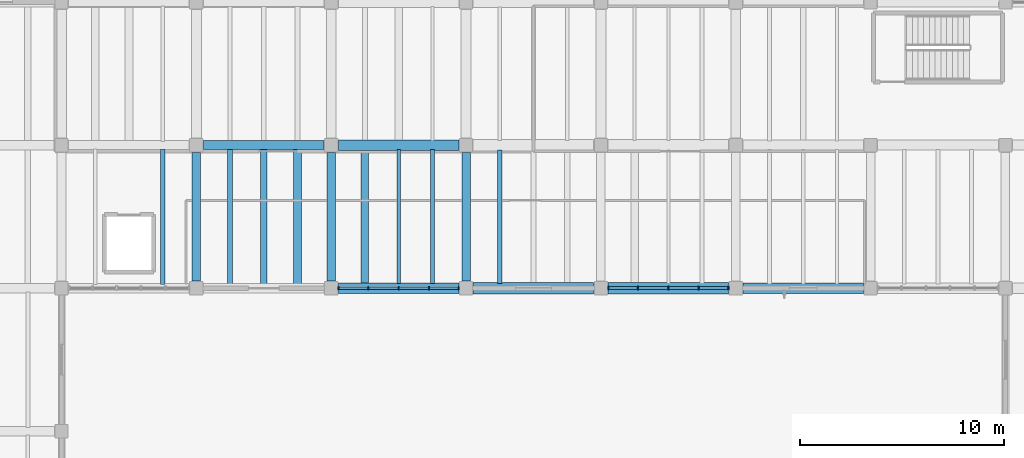
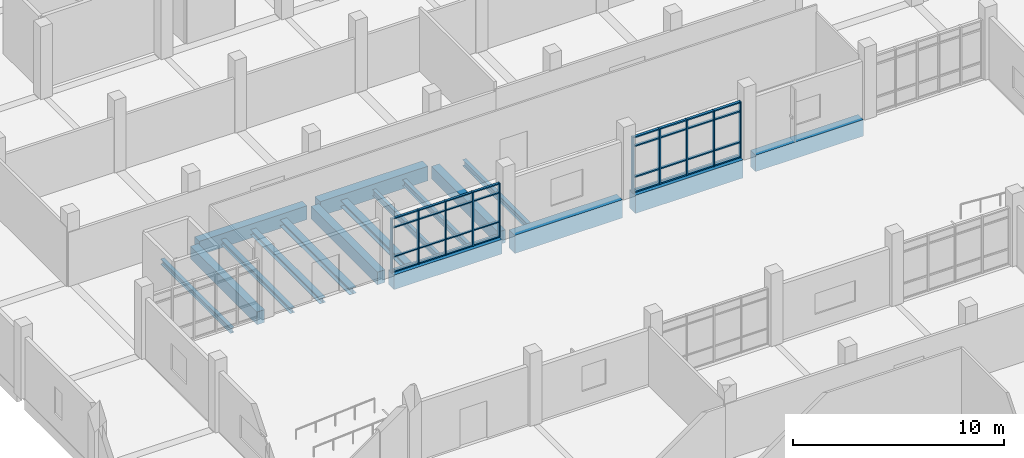
# One storey, part 24 of 69: 42 members, 17 beams, 2 elements without a shape of their own.
"""IFC4 building model written with IfcOpenShell, lengths in metres."""

from ifc_helpers import new_model, si_unit, direction, frame, origin, origin_2d, place, context, subcontext, project, spatial, rectangle, i_section, extrude, material, material_profile, profile_set, type_object, element, aggregate, save


model = new_model("IFC4")

# Units and contexts
model_context = context("Model", 3, precision=1e-05, world=origin(), true_north=direction((0.0, 1.0)))
body_context = subcontext(model_context, "Body", "Model", "MODEL_VIEW")
ifc_project = project(units=[si_unit("LENGTHUNIT", "METRE"), si_unit("AREAUNIT", "SQUARE_METRE"), si_unit("VOLUMEUNIT", "CUBIC_METRE"), si_unit("PLANEANGLEUNIT", "RADIAN"), si_unit("MASSUNIT", "GRAM", prefix="KILO")], contexts=[model_context])

# Site, building, storey
site_placement = place(None, origin())
site = spatial("IfcSite", under=ifc_project, at=site_placement, CompositionType="ELEMENT")
building_placement = place(site_placement, origin())
building = spatial("IfcBuilding", under=site, at=building_placement, Name="Ciguamira Faculty of Natural Sciences", CompositionType="ELEMENT")
storey_placement = place(building_placement, origin())
storey = spatial("IfcBuildingStorey", under=building, at=storey_placement, Name="L00", CompositionType="ELEMENT", Elevation=0.0)

# Curtain wall, members
ifc_material_1 = material(Name="Anodized aluminium curtain wall", Category="aluminium")
curtain_wall_type_1 = type_object("IfcCurtainWallType", Name="CurtainWall_CW-01", PredefinedType="USERDEFINED", material=ifc_material_1)
curtain_wall_1_placement = place(storey_placement, origin())
curtain_wall_1 = element("IfcCurtainWall", 1, at=curtain_wall_1_placement, inside=storey, type_object=curtain_wall_type_1, Name="L00 unitised curtain wall 0013", ObjectType="UNITISED CURTAIN WALL", PredefinedType="USERDEFINED")
ifc_material_2 = material(Name="Anodized aluminium mullion", Category="aluminium")
ifc_material_profile_1 = material_profile(ifc_material_2, rectangle(XDim=0.06005859375, YDim=0.159912109375, at=origin_2d()), Name="ALU-MUL-60X160")
ifc_profile_set_1 = profile_set([ifc_material_profile_1], Name="Anodized aluminium mullion")
member_type_1 = type_object("IfcMemberType", Name="CWMullion_CWM-01", PredefinedType="MULLION", material=ifc_profile_set_1)
member_1_placement = place(storey_placement, frame((77.455078125, 73.0, 0.0), z_axis=(0.0, 0.0, 1.0), x_axis=(1.0, 0.0, 0.0)))
member_1 = element("IfcMember", 2, at=member_1_placement, type_object=member_type_1, Name="CW-01 mullion 1", PredefinedType="MULLION", context=body_context, shape_type="SweptSolid", body=[
    extrude(rectangle(XDim=0.06005859375, YDim=0.159912109375, at=origin_2d()), origin(), (0.0, 0.0, 1.0), 3.135009765625),
])
member_2_placement = place(storey_placement, frame((78.91259765625, 73.0, 0.0), z_axis=(0.0, 0.0, 1.0), x_axis=(1.0, 0.0, 0.0)))
member_2 = element("IfcMember", 3, at=member_2_placement, type_object=member_type_1, Name="CW-01 mullion 2", PredefinedType="MULLION", context=body_context, shape_type="SweptSolid", body=[
    extrude(rectangle(XDim=0.06005859375, YDim=0.159912109375, at=origin_2d()), origin(), (0.0, 0.0, 1.0), 3.135009765625),
])
member_3_placement = place(storey_placement, frame((80.39990234375, 73.0, 0.0), z_axis=(0.0, 0.0, 1.0), x_axis=(1.0, 0.0, 0.0)))
member_3 = element("IfcMember", 4, at=member_3_placement, type_object=member_type_1, Name="CW-01 mullion 3", PredefinedType="MULLION", context=body_context, shape_type="SweptSolid", body=[
    extrude(rectangle(XDim=0.06005859375, YDim=0.159912109375, at=origin_2d()), origin(), (0.0, 0.0, 1.0), 3.135009765625),
])
member_4_placement = place(storey_placement, frame((81.887451171875, 73.0, 0.0), z_axis=(0.0, 0.0, 1.0), x_axis=(1.0, 0.0, 0.0)))
member_4 = element("IfcMember", 5, at=member_4_placement, type_object=member_type_1, Name="CW-01 mullion 4", PredefinedType="MULLION", context=body_context, shape_type="SweptSolid", body=[
    extrude(rectangle(XDim=0.06005859375, YDim=0.159912109375, at=origin_2d()), origin(), (0.0, 0.0, 1.0), 3.135009765625),
])
member_5_placement = place(storey_placement, frame((83.344970703125, 73.0, 0.0), z_axis=(0.0, 0.0, 1.0), x_axis=(1.0, 0.0, 0.0)))
member_5 = element("IfcMember", 6, at=member_5_placement, type_object=member_type_1, Name="CW-01 mullion 5", PredefinedType="MULLION", context=body_context, shape_type="SweptSolid", body=[
    extrude(rectangle(XDim=0.06005859375, YDim=0.159912109375, at=origin_2d()), origin(), (0.0, 0.0, 1.0), 3.135009765625),
])

curtain_wall_type_2 = type_object("IfcCurtainWallType", Name="CurtainWall_CW-02", PredefinedType="USERDEFINED", material=ifc_material_1)
curtain_wall_2_placement = place(storey_placement, origin())
curtain_wall_2 = element("IfcCurtainWall", 7, at=curtain_wall_2_placement, inside=storey, type_object=curtain_wall_type_2, Name="L00 unitised curtain wall 0014", ObjectType="UNITISED CURTAIN WALL", PredefinedType="USERDEFINED")
ifc_material_profile_2 = material_profile(ifc_material_2, rectangle(XDim=0.070068359375, YDim=0.179931640625, at=origin_2d()), Name="ALU-MUL-70X180")
ifc_profile_set_2 = profile_set([ifc_material_profile_2], Name="Anodized aluminium mullion")
member_type_2 = type_object("IfcMemberType", Name="CWMullion_CWM-02", PredefinedType="MULLION", material=ifc_profile_set_2)
member_6_placement = place(storey_placement, frame((90.659912109375, 73.0, 0.0), z_axis=(0.0, 0.0, 1.0), x_axis=(1.0, 0.0, 0.0)))
member_6 = element("IfcMember", 8, at=member_6_placement, type_object=member_type_2, Name="CW-02 mullion 1", PredefinedType="MULLION", context=body_context, shape_type="SweptSolid", body=[
    extrude(rectangle(XDim=0.070068359375, YDim=0.179931640625, at=origin_2d()), origin(), (0.0, 0.0, 1.0), 3.235107421875),
])
member_7_placement = place(storey_placement, frame((92.112548828125, 73.0, 0.0), z_axis=(0.0, 0.0, 1.0), x_axis=(1.0, 0.0, 0.0)))
member_7 = element("IfcMember", 9, at=member_7_placement, type_object=member_type_2, Name="CW-02 mullion 2", PredefinedType="MULLION", context=body_context, shape_type="SweptSolid", body=[
    extrude(rectangle(XDim=0.070068359375, YDim=0.179931640625, at=origin_2d()), origin(), (0.0, 0.0, 1.0), 3.235107421875),
])
member_8_placement = place(storey_placement, frame((93.60009765625, 73.0, 0.0), z_axis=(0.0, 0.0, 1.0), x_axis=(1.0, 0.0, 0.0)))
member_8 = element("IfcMember", 10, at=member_8_placement, type_object=member_type_2, Name="CW-02 mullion 3", PredefinedType="MULLION", context=body_context, shape_type="SweptSolid", body=[
    extrude(rectangle(XDim=0.070068359375, YDim=0.179931640625, at=origin_2d()), origin(), (0.0, 0.0, 1.0), 3.235107421875),
])
member_9_placement = place(storey_placement, frame((95.08740234375, 73.0, 0.0), z_axis=(0.0, 0.0, 1.0), x_axis=(1.0, 0.0, 0.0)))
member_9 = element("IfcMember", 11, at=member_9_placement, type_object=member_type_2, Name="CW-02 mullion 4", PredefinedType="MULLION", context=body_context, shape_type="SweptSolid", body=[
    extrude(rectangle(XDim=0.070068359375, YDim=0.179931640625, at=origin_2d()), origin(), (0.0, 0.0, 1.0), 3.235107421875),
])
member_10_placement = place(storey_placement, frame((96.5400390625, 73.0, 0.0), z_axis=(0.0, 0.0, 1.0), x_axis=(1.0, 0.0, 0.0)))
member_10 = element("IfcMember", 12, at=member_10_placement, type_object=member_type_2, Name="CW-02 mullion 5", PredefinedType="MULLION", context=body_context, shape_type="SweptSolid", body=[
    extrude(rectangle(XDim=0.070068359375, YDim=0.179931640625, at=origin_2d()), origin(), (0.0, 0.0, 1.0), 3.235107421875),
])

# Member
ifc_material_3 = material(Name="Anodized aluminium transom", Category="aluminium")
ifc_material_profile_3 = material_profile(ifc_material_3, rectangle(XDim=0.06005859375, YDim=0.1201171875, at=origin_2d()), Name="ALU-TRN-60X120")
ifc_profile_set_3 = profile_set([ifc_material_profile_3], Name="Anodized aluminium transom")
member_type_3 = type_object("IfcMemberType", Name="CWTransom_CWT-01", PredefinedType="USERDEFINED", material=ifc_profile_set_3)
member_11_placement = place(storey_placement, frame((77.485107421875, 73.0, 0.030029296875), z_axis=(1.0, 0.0, 0.0), x_axis=(0.0, 0.0, 1.0)))
member_11 = element("IfcMember", 13, at=member_11_placement, type_object=member_type_3, Name="CW-01 transom 1.1", ObjectType="TRANSOM", PredefinedType="USERDEFINED", context=body_context, shape_type="SweptSolid", body=[
    extrude(rectangle(XDim=0.06005859375, YDim=0.1201171875, at=origin_2d()), origin(), (0.0, 0.0, 1.0), 1.3974609375),
])

member_12_placement = place(storey_placement, frame((77.485107421875, 73.0, 0.89990234375), z_axis=(1.0, 0.0, 0.0), x_axis=(0.0, 0.0, 1.0)))
member_12 = element("IfcMember", 14, at=member_12_placement, type_object=member_type_3, Name="CW-01 transom 1.2", ObjectType="TRANSOM", PredefinedType="USERDEFINED", context=body_context, shape_type="SweptSolid", body=[
    extrude(rectangle(XDim=0.06005859375, YDim=0.1201171875, at=origin_2d()), origin(), (0.0, 0.0, 1.0), 1.3974609375),
])

member_13_placement = place(storey_placement, frame((77.485107421875, 73.0, 2.5849609375), z_axis=(1.0, 0.0, 0.0), x_axis=(0.0, 0.0, 1.0)))
member_13 = element("IfcMember", 15, at=member_13_placement, type_object=member_type_3, Name="CW-01 transom 1.3", ObjectType="TRANSOM", PredefinedType="USERDEFINED", context=body_context, shape_type="SweptSolid", body=[
    extrude(rectangle(XDim=0.06005859375, YDim=0.1201171875, at=origin_2d()), origin(), (0.0, 0.0, 1.0), 1.3974609375),
])

member_14_placement = place(storey_placement, frame((77.485107421875, 73.0, 3.10498046875), z_axis=(1.0, 0.0, 0.0), x_axis=(0.0, 0.0, 1.0)))
member_14 = element("IfcMember", 16, at=member_14_placement, type_object=member_type_3, Name="CW-01 transom 1.4", ObjectType="TRANSOM", PredefinedType="USERDEFINED", context=body_context, shape_type="SweptSolid", body=[
    extrude(rectangle(XDim=0.06005859375, YDim=0.1201171875, at=origin_2d()), origin(), (0.0, 0.0, 1.0), 1.3974609375),
])

member_15_placement = place(storey_placement, frame((78.9423828125, 73.0, 0.030029296875), z_axis=(1.0, 0.0, 0.0), x_axis=(0.0, 0.0, 1.0)))
member_15 = element("IfcMember", 17, at=member_15_placement, type_object=member_type_3, Name="CW-01 transom 2.1", ObjectType="TRANSOM", PredefinedType="USERDEFINED", context=body_context, shape_type="SweptSolid", body=[
    extrude(rectangle(XDim=0.06005859375, YDim=0.1201171875, at=origin_2d()), origin(), (0.0, 0.0, 1.0), 1.427734375),
])

member_16_placement = place(storey_placement, frame((78.9423828125, 73.0, 0.89990234375), z_axis=(1.0, 0.0, 0.0), x_axis=(0.0, 0.0, 1.0)))
member_16 = element("IfcMember", 18, at=member_16_placement, type_object=member_type_3, Name="CW-01 transom 2.2", ObjectType="TRANSOM", PredefinedType="USERDEFINED", context=body_context, shape_type="SweptSolid", body=[
    extrude(rectangle(XDim=0.06005859375, YDim=0.1201171875, at=origin_2d()), origin(), (0.0, 0.0, 1.0), 1.427734375),
])

member_17_placement = place(storey_placement, frame((78.9423828125, 73.0, 2.5849609375), z_axis=(1.0, 0.0, 0.0), x_axis=(0.0, 0.0, 1.0)))
member_17 = element("IfcMember", 19, at=member_17_placement, type_object=member_type_3, Name="CW-01 transom 2.3", ObjectType="TRANSOM", PredefinedType="USERDEFINED", context=body_context, shape_type="SweptSolid", body=[
    extrude(rectangle(XDim=0.06005859375, YDim=0.1201171875, at=origin_2d()), origin(), (0.0, 0.0, 1.0), 1.427734375),
])

member_18_placement = place(storey_placement, frame((78.9423828125, 73.0, 3.10498046875), z_axis=(1.0, 0.0, 0.0), x_axis=(0.0, 0.0, 1.0)))
member_18 = element("IfcMember", 20, at=member_18_placement, type_object=member_type_3, Name="CW-01 transom 2.4", ObjectType="TRANSOM", PredefinedType="USERDEFINED", context=body_context, shape_type="SweptSolid", body=[
    extrude(rectangle(XDim=0.06005859375, YDim=0.1201171875, at=origin_2d()), origin(), (0.0, 0.0, 1.0), 1.427734375),
])

member_19_placement = place(storey_placement, frame((80.429931640625, 73.0, 0.030029296875), z_axis=(1.0, 0.0, 0.0), x_axis=(0.0, 0.0, 1.0)))
member_19 = element("IfcMember", 21, at=member_19_placement, type_object=member_type_3, Name="CW-01 transom 3.1", ObjectType="TRANSOM", PredefinedType="USERDEFINED", context=body_context, shape_type="SweptSolid", body=[
    extrude(rectangle(XDim=0.06005859375, YDim=0.1201171875, at=origin_2d()), origin(), (0.0, 0.0, 1.0), 1.427490234375),
])

member_20_placement = place(storey_placement, frame((80.429931640625, 73.0, 0.89990234375), z_axis=(1.0, 0.0, 0.0), x_axis=(0.0, 0.0, 1.0)))
member_20 = element("IfcMember", 22, at=member_20_placement, type_object=member_type_3, Name="CW-01 transom 3.2", ObjectType="TRANSOM", PredefinedType="USERDEFINED", context=body_context, shape_type="SweptSolid", body=[
    extrude(rectangle(XDim=0.06005859375, YDim=0.1201171875, at=origin_2d()), origin(), (0.0, 0.0, 1.0), 1.427490234375),
])

member_21_placement = place(storey_placement, frame((80.429931640625, 73.0, 2.5849609375), z_axis=(1.0, 0.0, 0.0), x_axis=(0.0, 0.0, 1.0)))
member_21 = element("IfcMember", 23, at=member_21_placement, type_object=member_type_3, Name="CW-01 transom 3.3", ObjectType="TRANSOM", PredefinedType="USERDEFINED", context=body_context, shape_type="SweptSolid", body=[
    extrude(rectangle(XDim=0.06005859375, YDim=0.1201171875, at=origin_2d()), origin(), (0.0, 0.0, 1.0), 1.427490234375),
])

member_22_placement = place(storey_placement, frame((80.429931640625, 73.0, 3.10498046875), z_axis=(1.0, 0.0, 0.0), x_axis=(0.0, 0.0, 1.0)))
member_22 = element("IfcMember", 24, at=member_22_placement, type_object=member_type_3, Name="CW-01 transom 3.4", ObjectType="TRANSOM", PredefinedType="USERDEFINED", context=body_context, shape_type="SweptSolid", body=[
    extrude(rectangle(XDim=0.06005859375, YDim=0.1201171875, at=origin_2d()), origin(), (0.0, 0.0, 1.0), 1.427490234375),
])

member_23_placement = place(storey_placement, frame((81.91748046875, 73.0, 0.030029296875), z_axis=(1.0, 0.0, 0.0), x_axis=(0.0, 0.0, 1.0)))
member_23 = element("IfcMember", 25, at=member_23_placement, type_object=member_type_3, Name="CW-01 transom 4.1", ObjectType="TRANSOM", PredefinedType="USERDEFINED", context=body_context, shape_type="SweptSolid", body=[
    extrude(rectangle(XDim=0.06005859375, YDim=0.1201171875, at=origin_2d()), origin(), (0.0, 0.0, 1.0), 1.3974609375),
])

member_24_placement = place(storey_placement, frame((81.91748046875, 73.0, 0.89990234375), z_axis=(1.0, 0.0, 0.0), x_axis=(0.0, 0.0, 1.0)))
member_24 = element("IfcMember", 26, at=member_24_placement, type_object=member_type_3, Name="CW-01 transom 4.2", ObjectType="TRANSOM", PredefinedType="USERDEFINED", context=body_context, shape_type="SweptSolid", body=[
    extrude(rectangle(XDim=0.06005859375, YDim=0.1201171875, at=origin_2d()), origin(), (0.0, 0.0, 1.0), 1.3974609375),
])

member_25_placement = place(storey_placement, frame((81.91748046875, 73.0, 2.5849609375), z_axis=(1.0, 0.0, 0.0), x_axis=(0.0, 0.0, 1.0)))
member_25 = element("IfcMember", 27, at=member_25_placement, type_object=member_type_3, Name="CW-01 transom 4.3", ObjectType="TRANSOM", PredefinedType="USERDEFINED", context=body_context, shape_type="SweptSolid", body=[
    extrude(rectangle(XDim=0.06005859375, YDim=0.1201171875, at=origin_2d()), origin(), (0.0, 0.0, 1.0), 1.3974609375),
])

member_26_placement = place(storey_placement, frame((81.91748046875, 73.0, 3.10498046875), z_axis=(1.0, 0.0, 0.0), x_axis=(0.0, 0.0, 1.0)))
member_26 = element("IfcMember", 28, at=member_26_placement, type_object=member_type_3, Name="CW-01 transom 4.4", ObjectType="TRANSOM", PredefinedType="USERDEFINED", context=body_context, shape_type="SweptSolid", body=[
    extrude(rectangle(XDim=0.06005859375, YDim=0.1201171875, at=origin_2d()), origin(), (0.0, 0.0, 1.0), 1.3974609375),
])

aggregate(curtain_wall_1, [member_1, member_2, member_3, member_4, member_5, member_11, member_12, member_13, member_14, member_15, member_16, member_17, member_18, member_19, member_20, member_21, member_22, member_23, member_24, member_25, member_26])

ifc_material_profile_4 = material_profile(ifc_material_3, rectangle(XDim=0.070068359375, YDim=0.139892578125, at=origin_2d()), Name="ALU-TRN-70X140")
ifc_profile_set_4 = profile_set([ifc_material_profile_4], Name="Anodized aluminium transom")
member_type_4 = type_object("IfcMemberType", Name="CWTransom_CWT-02", PredefinedType="USERDEFINED", material=ifc_profile_set_4)
member_27_placement = place(storey_placement, frame((90.695068359375, 73.0, 0.034912109375), z_axis=(1.0, 0.0, 0.0), x_axis=(0.0, 0.0, 1.0)))
member_27 = element("IfcMember", 29, at=member_27_placement, type_object=member_type_4, Name="CW-02 transom 1.1", ObjectType="TRANSOM", PredefinedType="USERDEFINED", context=body_context, shape_type="SweptSolid", body=[
    extrude(rectangle(XDim=0.070068359375, YDim=0.139892578125, at=origin_2d()), origin(), (0.0, 0.0, 1.0), 1.38232421875),
])

member_28_placement = place(storey_placement, frame((90.695068359375, 73.0, 0.89990234375), z_axis=(1.0, 0.0, 0.0), x_axis=(0.0, 0.0, 1.0)))
member_28 = element("IfcMember", 30, at=member_28_placement, type_object=member_type_4, Name="CW-02 transom 1.2", ObjectType="TRANSOM", PredefinedType="USERDEFINED", context=body_context, shape_type="SweptSolid", body=[
    extrude(rectangle(XDim=0.070068359375, YDim=0.139892578125, at=origin_2d()), origin(), (0.0, 0.0, 1.0), 1.38232421875),
])

member_29_placement = place(storey_placement, frame((90.695068359375, 73.0, 2.68505859375), z_axis=(1.0, 0.0, 0.0), x_axis=(0.0, 0.0, 1.0)))
member_29 = element("IfcMember", 31, at=member_29_placement, type_object=member_type_4, Name="CW-02 transom 1.3", ObjectType="TRANSOM", PredefinedType="USERDEFINED", context=body_context, shape_type="SweptSolid", body=[
    extrude(rectangle(XDim=0.070068359375, YDim=0.139892578125, at=origin_2d()), origin(), (0.0, 0.0, 1.0), 1.38232421875),
])

member_30_placement = place(storey_placement, frame((90.695068359375, 73.0, 3.199951171875), z_axis=(1.0, 0.0, 0.0), x_axis=(0.0, 0.0, 1.0)))
member_30 = element("IfcMember", 32, at=member_30_placement, type_object=member_type_4, Name="CW-02 transom 1.4", ObjectType="TRANSOM", PredefinedType="USERDEFINED", context=body_context, shape_type="SweptSolid", body=[
    extrude(rectangle(XDim=0.070068359375, YDim=0.139892578125, at=origin_2d()), origin(), (0.0, 0.0, 1.0), 1.38232421875),
])

member_31_placement = place(storey_placement, frame((92.1474609375, 73.0, 0.034912109375), z_axis=(1.0, 0.0, 0.0), x_axis=(0.0, 0.0, 1.0)))
member_31 = element("IfcMember", 33, at=member_31_placement, type_object=member_type_4, Name="CW-02 transom 2.1", ObjectType="TRANSOM", PredefinedType="USERDEFINED", context=body_context, shape_type="SweptSolid", body=[
    extrude(rectangle(XDim=0.070068359375, YDim=0.139892578125, at=origin_2d()), origin(), (0.0, 0.0, 1.0), 1.41748046875),
])

member_32_placement = place(storey_placement, frame((92.1474609375, 73.0, 0.89990234375), z_axis=(1.0, 0.0, 0.0), x_axis=(0.0, 0.0, 1.0)))
member_32 = element("IfcMember", 34, at=member_32_placement, type_object=member_type_4, Name="CW-02 transom 2.2", ObjectType="TRANSOM", PredefinedType="USERDEFINED", context=body_context, shape_type="SweptSolid", body=[
    extrude(rectangle(XDim=0.070068359375, YDim=0.139892578125, at=origin_2d()), origin(), (0.0, 0.0, 1.0), 1.41748046875),
])

member_33_placement = place(storey_placement, frame((92.1474609375, 73.0, 2.68505859375), z_axis=(1.0, 0.0, 0.0), x_axis=(0.0, 0.0, 1.0)))
member_33 = element("IfcMember", 35, at=member_33_placement, type_object=member_type_4, Name="CW-02 transom 2.3", ObjectType="TRANSOM", PredefinedType="USERDEFINED", context=body_context, shape_type="SweptSolid", body=[
    extrude(rectangle(XDim=0.070068359375, YDim=0.139892578125, at=origin_2d()), origin(), (0.0, 0.0, 1.0), 1.41748046875),
])

member_34_placement = place(storey_placement, frame((92.1474609375, 73.0, 3.199951171875), z_axis=(1.0, 0.0, 0.0), x_axis=(0.0, 0.0, 1.0)))
member_34 = element("IfcMember", 36, at=member_34_placement, type_object=member_type_4, Name="CW-02 transom 2.4", ObjectType="TRANSOM", PredefinedType="USERDEFINED", context=body_context, shape_type="SweptSolid", body=[
    extrude(rectangle(XDim=0.070068359375, YDim=0.139892578125, at=origin_2d()), origin(), (0.0, 0.0, 1.0), 1.41748046875),
])

member_35_placement = place(storey_placement, frame((93.635009765625, 73.0, 0.034912109375), z_axis=(1.0, 0.0, 0.0), x_axis=(0.0, 0.0, 1.0)))
member_35 = element("IfcMember", 37, at=member_35_placement, type_object=member_type_4, Name="CW-02 transom 3.1", ObjectType="TRANSOM", PredefinedType="USERDEFINED", context=body_context, shape_type="SweptSolid", body=[
    extrude(rectangle(XDim=0.070068359375, YDim=0.139892578125, at=origin_2d()), origin(), (0.0, 0.0, 1.0), 1.41748046875),
])

member_36_placement = place(storey_placement, frame((93.635009765625, 73.0, 0.89990234375), z_axis=(1.0, 0.0, 0.0), x_axis=(0.0, 0.0, 1.0)))
member_36 = element("IfcMember", 38, at=member_36_placement, type_object=member_type_4, Name="CW-02 transom 3.2", ObjectType="TRANSOM", PredefinedType="USERDEFINED", context=body_context, shape_type="SweptSolid", body=[
    extrude(rectangle(XDim=0.070068359375, YDim=0.139892578125, at=origin_2d()), origin(), (0.0, 0.0, 1.0), 1.41748046875),
])

member_37_placement = place(storey_placement, frame((93.635009765625, 73.0, 2.68505859375), z_axis=(1.0, 0.0, 0.0), x_axis=(0.0, 0.0, 1.0)))
member_37 = element("IfcMember", 39, at=member_37_placement, type_object=member_type_4, Name="CW-02 transom 3.3", ObjectType="TRANSOM", PredefinedType="USERDEFINED", context=body_context, shape_type="SweptSolid", body=[
    extrude(rectangle(XDim=0.070068359375, YDim=0.139892578125, at=origin_2d()), origin(), (0.0, 0.0, 1.0), 1.41748046875),
])

member_38_placement = place(storey_placement, frame((93.635009765625, 73.0, 3.199951171875), z_axis=(1.0, 0.0, 0.0), x_axis=(0.0, 0.0, 1.0)))
member_38 = element("IfcMember", 40, at=member_38_placement, type_object=member_type_4, Name="CW-02 transom 3.4", ObjectType="TRANSOM", PredefinedType="USERDEFINED", context=body_context, shape_type="SweptSolid", body=[
    extrude(rectangle(XDim=0.070068359375, YDim=0.139892578125, at=origin_2d()), origin(), (0.0, 0.0, 1.0), 1.41748046875),
])

member_39_placement = place(storey_placement, frame((95.12255859375, 73.0, 0.034912109375), z_axis=(1.0, 0.0, 0.0), x_axis=(0.0, 0.0, 1.0)))
member_39 = element("IfcMember", 41, at=member_39_placement, type_object=member_type_4, Name="CW-02 transom 4.1", ObjectType="TRANSOM", PredefinedType="USERDEFINED", context=body_context, shape_type="SweptSolid", body=[
    extrude(rectangle(XDim=0.070068359375, YDim=0.139892578125, at=origin_2d()), origin(), (0.0, 0.0, 1.0), 1.38232421875),
])

member_40_placement = place(storey_placement, frame((95.12255859375, 73.0, 0.89990234375), z_axis=(1.0, 0.0, 0.0), x_axis=(0.0, 0.0, 1.0)))
member_40 = element("IfcMember", 42, at=member_40_placement, type_object=member_type_4, Name="CW-02 transom 4.2", ObjectType="TRANSOM", PredefinedType="USERDEFINED", context=body_context, shape_type="SweptSolid", body=[
    extrude(rectangle(XDim=0.070068359375, YDim=0.139892578125, at=origin_2d()), origin(), (0.0, 0.0, 1.0), 1.38232421875),
])

member_41_placement = place(storey_placement, frame((95.12255859375, 73.0, 2.68505859375), z_axis=(1.0, 0.0, 0.0), x_axis=(0.0, 0.0, 1.0)))
member_41 = element("IfcMember", 43, at=member_41_placement, type_object=member_type_4, Name="CW-02 transom 4.3", ObjectType="TRANSOM", PredefinedType="USERDEFINED", context=body_context, shape_type="SweptSolid", body=[
    extrude(rectangle(XDim=0.070068359375, YDim=0.139892578125, at=origin_2d()), origin(), (0.0, 0.0, 1.0), 1.38232421875),
])

member_42_placement = place(storey_placement, frame((95.12255859375, 73.0, 3.199951171875), z_axis=(1.0, 0.0, 0.0), x_axis=(0.0, 0.0, 1.0)))
member_42 = element("IfcMember", 44, at=member_42_placement, type_object=member_type_4, Name="CW-02 transom 4.4", ObjectType="TRANSOM", PredefinedType="USERDEFINED", context=body_context, shape_type="SweptSolid", body=[
    extrude(rectangle(XDim=0.070068359375, YDim=0.139892578125, at=origin_2d()), origin(), (0.0, 0.0, 1.0), 1.38232421875),
])

aggregate(curtain_wall_2, [member_6, member_7, member_8, member_9, member_10, member_27, member_28, member_29, member_30, member_31, member_32, member_33, member_34, member_35, member_36, member_37, member_38, member_39, member_40, member_41, member_42])

# Beams
ifc_material_4 = material(Name="Concrete C40/50", Category="concrete")
ifc_material_profile_5 = material_profile(ifc_material_4, rectangle(XDim=0.550048828125, YDim=1.050048828125, at=origin_2d()), Name="RC-BM-550X1050")
ifc_profile_set_5 = profile_set([ifc_material_profile_5], Name="Concrete C40/50")
beam_type_1 = type_object("IfcBeamType", Name="RCBeam_BG-01_RC-BM-550X1050", PredefinedType="BEAM", material=ifc_profile_set_5)
beam_1_placement = place(storey_placement, frame((84.050048828125, 73.0, -0.52490234375), z_axis=(1.0, 0.0, 0.0), x_axis=(0.0, 1.0, 0.0)))
element("IfcBeam", 45, at=beam_1_placement, inside=storey, type_object=beam_type_1, Name="L00 RC girder EW-0133", PredefinedType="BEAM", context=body_context, shape_type="SweptSolid", body=[
    extrude(rectangle(XDim=0.550048828125, YDim=1.050048828125, at=origin_2d()), origin(), (0.0, 0.0, 1.0), 5.89990234375),
])
beam_2_placement = place(storey_placement, frame((90.64990234375, 73.0, -0.52490234375), z_axis=(1.0, 0.0, 0.0), x_axis=(0.0, 1.0, 0.0)))
element("IfcBeam", 46, at=beam_2_placement, inside=storey, type_object=beam_type_1, Name="L00 RC girder EW-0134", PredefinedType="BEAM", context=body_context, shape_type="SweptSolid", body=[
    extrude(rectangle(XDim=0.550048828125, YDim=1.050048828125, at=origin_2d()), origin(), (0.0, 0.0, 1.0), 5.900146484375),
])
ifc_material_profile_6 = material_profile(ifc_material_4, rectangle(XDim=0.5, YDim=0.949951171875, at=origin_2d()), Name="RC-BM-500X950")
ifc_profile_set_6 = profile_set([ifc_material_profile_6], Name="Concrete C40/50")
beam_type_2 = type_object("IfcBeamType", Name="RCBeam_BG-02_RC-BM-500X950", PredefinedType="BEAM", material=ifc_profile_set_6)
beam_3_placement = place(storey_placement, frame((97.25, 73.0, -0.47509765625), z_axis=(1.0, 0.0, 0.0), x_axis=(0.0, 1.0, 0.0)))
element("IfcBeam", 47, at=beam_3_placement, inside=storey, type_object=beam_type_2, Name="L00 RC girder EW-0135", PredefinedType="BEAM", context=body_context, shape_type="SweptSolid", body=[
    extrude(rectangle(XDim=0.5, YDim=0.949951171875, at=origin_2d()), origin(), (0.0, 0.0, 1.0), 5.89990234375),
])
ifc_material_profile_7 = material_profile(ifc_material_4, rectangle(XDim=0.449951171875, YDim=0.800048828125, at=origin_2d()), Name="RC-BM-450X800")
ifc_profile_set_7 = profile_set([ifc_material_profile_7], Name="Concrete C40/50")
beam_type_3 = type_object("IfcBeamType", Name="RCBeam_BG-05_RC-BM-450X800", PredefinedType="BEAM", material=ifc_profile_set_7)
beam_4_placement = place(storey_placement, frame((70.85009765625, 80.0, -0.39990234375), z_axis=(1.0, 0.0, 0.0), x_axis=(0.0, 1.0, 0.0)))
element("IfcBeam", 48, at=beam_4_placement, inside=storey, type_object=beam_type_3, Name="L00 RC girder EW-0140", PredefinedType="BEAM", context=body_context, shape_type="SweptSolid", body=[
    extrude(rectangle(XDim=0.449951171875, YDim=0.800048828125, at=origin_2d()), origin(), (0.0, 0.0, 1.0), 5.89990234375),
])
ifc_material_profile_8 = material_profile(ifc_material_4, rectangle(XDim=0.419921875, YDim=0.739990234375, at=origin_2d()), Name="RC-BM-420X740")
ifc_profile_set_8 = profile_set([ifc_material_profile_8], Name="Concrete C40/50")
beam_type_4 = type_object("IfcBeamType", Name="RCBeam_BG-07_RC-BM-420X740", PredefinedType="BEAM", material=ifc_profile_set_8)
for number, where, z_axis, x_axis, name in (
    (49, (70.5, 73.35009765625, -0.3701171875), (0.0, 1.0, 0.0), (-1.0, 0.0, 0.0), "L00 girder NS-0249"),
    (50, (77.10009765625, 73.35009765625, -0.3701171875), (0.0, 1.0, 0.0), (-1.0, 0.0, 0.0), "L00 girder NS-0260"),
    (51, (83.699951171875, 73.35009765625, -0.3701171875), (0.0, 1.0, 0.0), (-1.0, 0.0, 0.0), "L00 girder NS-0271"),
):
    element("IfcBeam", number, at=place(storey_placement, frame(where, z_axis=z_axis, x_axis=x_axis)), inside=storey, type_object=beam_type_4, Name=name, PredefinedType="BEAM", context=body_context, shape_type="SweptSolid", body=[
        extrude(rectangle(XDim=0.419921875, YDim=0.739990234375, at=origin_2d()), origin(), (0.0, 0.0, 1.0), 6.2998046875),
    ])
ifc_material_profile_9 = material_profile(ifc_material_4, rectangle(XDim=0.52001953125, YDim=0.840087890625, at=origin_2d()), Name="RC-TB-520X840")
ifc_profile_set_9 = profile_set([ifc_material_profile_9], Name="Concrete C40/50")
beam_type_5 = type_object("IfcBeamType", Name="RCBeam_TB-02_RC-TB-520X840", PredefinedType="T_BEAM", material=ifc_profile_set_9)
for number, where, z_axis, x_axis, name in (
    (52, (77.449951171875, 73.0, -0.419921875), (1.0, 0.0, 0.0), (0.0, 1.0, 0.0), "L00 RC girder EW-0132"),
    (53, (77.449951171875, 80.0, -0.419921875), (1.0, 0.0, 0.0), (0.0, 1.0, 0.0), "L00 RC girder EW-0141"),
):
    element("IfcBeam", number, at=place(storey_placement, frame(where, z_axis=z_axis, x_axis=x_axis)), inside=storey, type_object=beam_type_5, Name=name, PredefinedType="T_BEAM", context=body_context, shape_type="SweptSolid", body=[
        extrude(rectangle(XDim=0.52001953125, YDim=0.840087890625, at=origin_2d()), origin(), (0.0, 0.0, 1.0), 5.900146484375),
    ])
ifc_material_5 = material(Name="Steel ASTM A992 Grade 50", Category="steel")
ifc_material_profile_10 = material_profile(ifc_material_5, i_section(OverallWidth=0.20458984375, OverallDepth=0.307373046875, WebThickness=0.008544921875, FlangeThickness=0.0146484375, at=origin_2d()), Name="W12X45")
ifc_profile_set_10 = profile_set([ifc_material_profile_10], Name="Steel ASTM A992 Grade 50")
beam_type_6 = type_object("IfcBeamType", Name="SteelJoist_SJ-06_W12X45", PredefinedType="JOIST", material=ifc_profile_set_10)
beam_5_placement = place(storey_placement, frame((68.85009765625, 73.18505859375, -0.45361328125), z_axis=(0.0, 1.0, 0.0), x_axis=(-1.0, 0.0, 0.0)))
element("IfcBeam", 54, at=beam_5_placement, inside=storey, type_object=beam_type_6, Name="L00 composite steel joist 00108", PredefinedType="JOIST", context=body_context, shape_type="SweptSolid", body=[
    extrude(i_section(OverallWidth=0.20458984375, OverallDepth=0.307373046875, WebThickness=0.008544921875, FlangeThickness=0.0146484375, at=origin_2d()), origin(), (0.0, 0.0, 1.0), 6.6298828125),
])
ifc_material_profile_11 = material_profile(ifc_material_5, i_section(OverallWidth=0.25390625, OverallDepth=0.307373046875, WebThickness=0.0087890625, FlangeThickness=0.0146484375, at=origin_2d()), Name="W12X53")
ifc_profile_set_11 = profile_set([ifc_material_profile_11], Name="Steel ASTM A992 Grade 50")
beam_type_7 = type_object("IfcBeamType", Name="SteelJoist_SJ-07_W12X53", PredefinedType="JOIST", material=ifc_profile_set_11)
beam_6_placement = place(storey_placement, frame((72.14990234375, 73.18505859375, -0.45361328125), z_axis=(0.0, 1.0, 0.0), x_axis=(-1.0, 0.0, 0.0)))
element("IfcBeam", 55, at=beam_6_placement, inside=storey, type_object=beam_type_7, Name="L00 composite steel joist 00133", PredefinedType="JOIST", context=body_context, shape_type="SweptSolid", body=[
    extrude(i_section(OverallWidth=0.25390625, OverallDepth=0.307373046875, WebThickness=0.0087890625, FlangeThickness=0.0146484375, at=origin_2d()), origin(), (0.0, 0.0, 1.0), 6.6298828125),
])
ifc_material_profile_12 = material_profile(ifc_material_5, i_section(OverallWidth=0.3046875, OverallDepth=0.307373046875, WebThickness=0.010009765625, FlangeThickness=0.015380859375, at=origin_2d()), Name="W12X65")
ifc_profile_set_12 = profile_set([ifc_material_profile_12], Name="Steel ASTM A992 Grade 50")
beam_type_8 = type_object("IfcBeamType", Name="SteelJoist_SJ-08_W12X65", PredefinedType="JOIST", material=ifc_profile_set_12)
beam_7_placement = place(storey_placement, frame((73.800048828125, 73.18505859375, -0.45361328125), z_axis=(0.0, 1.0, 0.0), x_axis=(-1.0, 0.0, 0.0)))
element("IfcBeam", 56, at=beam_7_placement, inside=storey, type_object=beam_type_8, Name="L00 composite steel joist 00134", PredefinedType="JOIST", context=body_context, shape_type="SweptSolid", body=[
    extrude(i_section(OverallWidth=0.3046875, OverallDepth=0.307373046875, WebThickness=0.010009765625, FlangeThickness=0.015380859375, at=origin_2d()), origin(), (0.0, 0.0, 1.0), 6.6298828125),
])
ifc_material_profile_13 = material_profile(ifc_material_5, i_section(OverallWidth=0.370849609375, OverallDepth=0.36328125, WebThickness=0.013427734375, FlangeThickness=0.021728515625, at=origin_2d()), Name="W14X109")
ifc_profile_set_13 = profile_set([ifc_material_profile_13], Name="Steel ASTM A992 Grade 50")
beam_type_9 = type_object("IfcBeamType", Name="SteelJoist_SJ-09_W14X109", PredefinedType="JOIST", material=ifc_profile_set_13)
beam_8_placement = place(storey_placement, frame((75.449951171875, 73.18505859375, -0.481689453125), z_axis=(0.0, 1.0, 0.0), x_axis=(-1.0, 0.0, 0.0)))
element("IfcBeam", 57, at=beam_8_placement, inside=storey, type_object=beam_type_9, Name="L00 composite steel joist 00135", PredefinedType="JOIST", context=body_context, shape_type="SweptSolid", body=[
    extrude(i_section(OverallWidth=0.370849609375, OverallDepth=0.36328125, WebThickness=0.013427734375, FlangeThickness=0.021728515625, at=origin_2d()), origin(), (0.0, 0.0, 1.0), 6.6298828125),
])
ifc_material_profile_14 = material_profile(ifc_material_5, i_section(OverallWidth=0.373291015625, OverallDepth=0.373291015625, WebThickness=0.016357421875, FlangeThickness=0.026123046875, at=origin_2d()), Name="W14X132")
ifc_profile_set_14 = profile_set([ifc_material_profile_14], Name="Steel ASTM A992 Grade 50")
beam_type_10 = type_object("IfcBeamType", Name="SteelJoist_SJ-10_W14X132", PredefinedType="JOIST", material=ifc_profile_set_14)
beam_9_placement = place(storey_placement, frame((78.75, 73.219970703125, -0.48681640625), z_axis=(0.0, 1.0, 0.0), x_axis=(-1.0, 0.0, 0.0)))
element("IfcBeam", 58, at=beam_9_placement, inside=storey, type_object=beam_type_10, Name="L00 composite steel joist 00158", PredefinedType="JOIST", context=body_context, shape_type="SweptSolid", body=[
    extrude(i_section(OverallWidth=0.373291015625, OverallDepth=0.373291015625, WebThickness=0.016357421875, FlangeThickness=0.026123046875, at=origin_2d()), origin(), (0.0, 0.0, 1.0), 6.56005859375),
])
ifc_material_profile_15 = material_profile(ifc_material_5, i_section(OverallWidth=0.1708984375, OverallDepth=0.3505859375, WebThickness=0.0068359375, FlangeThickness=0.009765625, at=origin_2d()), Name="W14X30")
ifc_profile_set_15 = profile_set([ifc_material_profile_15], Name="Steel ASTM A992 Grade 50")
beam_type_11 = type_object("IfcBeamType", Name="SteelJoist_SJ-11_W14X30", PredefinedType="JOIST", material=ifc_profile_set_15)
beam_10_placement = place(storey_placement, frame((80.39990234375, 73.219970703125, -0.475341796875), z_axis=(0.0, 1.0, 0.0), x_axis=(-1.0, 0.0, 0.0)))
element("IfcBeam", 59, at=beam_10_placement, inside=storey, type_object=beam_type_11, Name="L00 composite steel joist 00159", PredefinedType="JOIST", context=body_context, shape_type="SweptSolid", body=[
    extrude(i_section(OverallWidth=0.1708984375, OverallDepth=0.3505859375, WebThickness=0.0068359375, FlangeThickness=0.009765625, at=origin_2d()), origin(), (0.0, 0.0, 1.0), 6.56005859375),
])
ifc_material_profile_16 = material_profile(ifc_material_5, i_section(OverallWidth=0.203125, OverallDepth=0.347900390625, WebThickness=0.0078125, FlangeThickness=0.013427734375, at=origin_2d()), Name="W14X43")
ifc_profile_set_16 = profile_set([ifc_material_profile_16], Name="Steel ASTM A992 Grade 50")
beam_type_12 = type_object("IfcBeamType", Name="SteelJoist_SJ-12_W14X43", PredefinedType="JOIST", material=ifc_profile_set_16)
beam_11_placement = place(storey_placement, frame((82.050048828125, 73.219970703125, -0.47412109375), z_axis=(0.0, 1.0, 0.0), x_axis=(-1.0, 0.0, 0.0)))
element("IfcBeam", 60, at=beam_11_placement, inside=storey, type_object=beam_type_12, Name="L00 composite steel joist 00160", PredefinedType="JOIST", context=body_context, shape_type="SweptSolid", body=[
    extrude(i_section(OverallWidth=0.203125, OverallDepth=0.347900390625, WebThickness=0.0078125, FlangeThickness=0.013427734375, at=origin_2d()), origin(), (0.0, 0.0, 1.0), 6.56005859375),
])
ifc_material_profile_17 = material_profile(ifc_material_5, i_section(OverallWidth=0.204833984375, OverallDepth=0.35302734375, WebThickness=0.00927734375, FlangeThickness=0.016845703125, at=origin_2d()), Name="W14X53")
ifc_profile_set_17 = profile_set([ifc_material_profile_17], Name="Steel ASTM A992 Grade 50")
beam_type_13 = type_object("IfcBeamType", Name="SteelJoist_SJ-13_W14X53", PredefinedType="JOIST", material=ifc_profile_set_17)
beam_12_placement = place(storey_placement, frame((85.35009765625, 73.235107421875, -0.4765625), z_axis=(0.0, 1.0, 0.0), x_axis=(-1.0, 0.0, 0.0)))
element("IfcBeam", 61, at=beam_12_placement, inside=storey, type_object=beam_type_13, Name="L00 composite steel joist 00184", PredefinedType="JOIST", context=body_context, shape_type="SweptSolid", body=[
    extrude(i_section(OverallWidth=0.204833984375, OverallDepth=0.35302734375, WebThickness=0.00927734375, FlangeThickness=0.016845703125, at=origin_2d()), origin(), (0.0, 0.0, 1.0), 6.52978515625),
])

save(model, "model.ifc")
